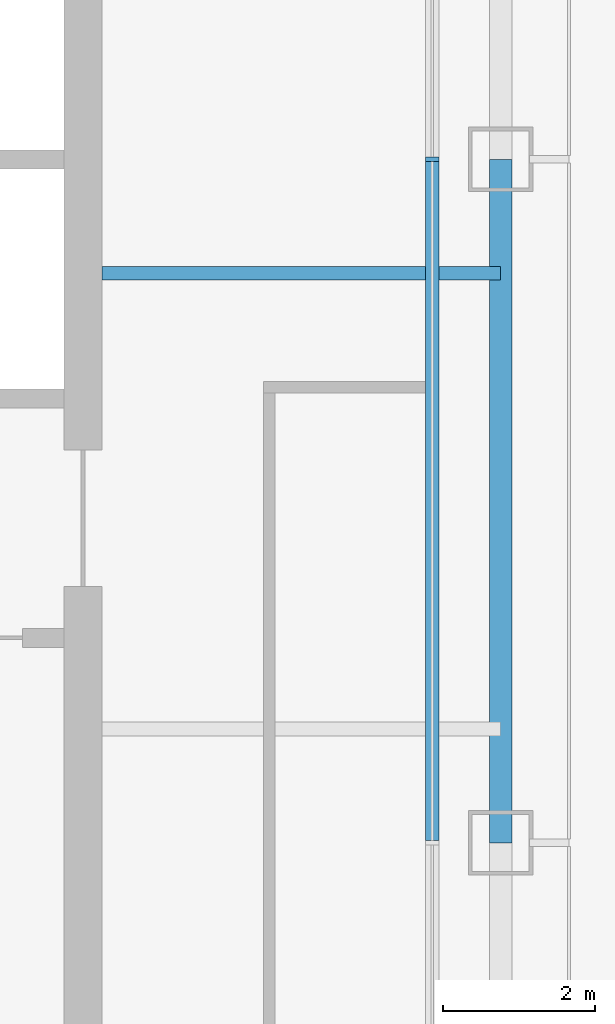
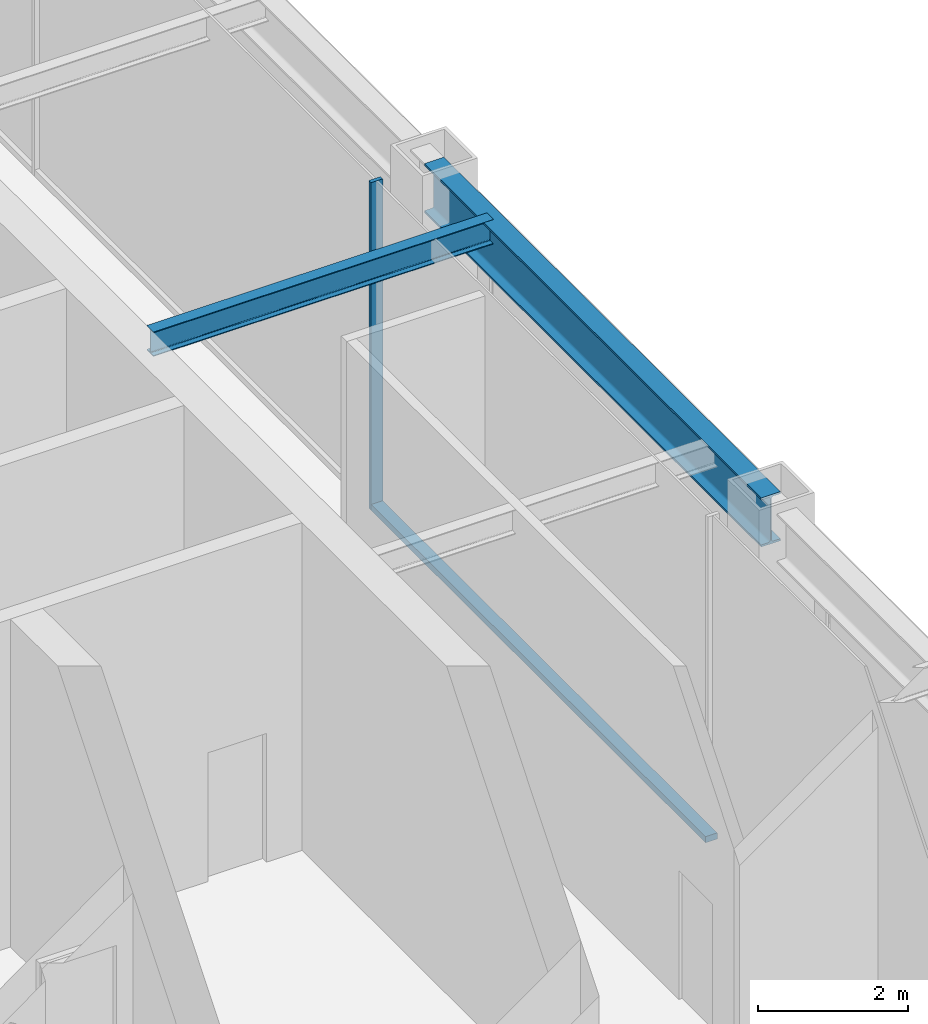
# One storey, part 5 of 19: 2 beams, 2 members, 1 element without a shape of its own.
"""IFC4 building model written with IfcOpenShell, lengths in metres."""

from ifc_helpers import new_model, si_unit, direction, frame, origin, origin_2d, place, context, subcontext, project, spatial, rectangle, i_section, extrude, material, layer, layer_set, material_profile, profile_set, type_object, element, aggregate, save


model = new_model("IFC4")

# Units and contexts
model_context = context("Model", 3, precision=1e-05, world=origin(), true_north=direction((0.0, 1.0)))
body_context = subcontext(model_context, "Body", "Model", "MODEL_VIEW")
ifc_project = project(units=[si_unit("LENGTHUNIT", "METRE"), si_unit("AREAUNIT", "SQUARE_METRE"), si_unit("VOLUMEUNIT", "CUBIC_METRE"), si_unit("PLANEANGLEUNIT", "RADIAN"), si_unit("MASSUNIT", "GRAM", prefix="KILO")], contexts=[model_context])

# Site, building, storey
site_placement = place(None, origin())
site = spatial("IfcSite", under=ifc_project, at=site_placement, CompositionType="ELEMENT")
building_placement = place(site_placement, origin())
building = spatial("IfcBuilding", under=site, at=building_placement, Name="Siwar Civic Tower", CompositionType="ELEMENT")
storey_placement = place(building_placement, frame((0.0, 0.0, 187.199951171875)))
storey = spatial("IfcBuildingStorey", under=building, at=storey_placement, Name="L40", CompositionType="ELEMENT", Elevation=187.199951171875)

# Curtain wall, members
ifc_material_1 = material(Name="Aluminium and glass", Category="aluminium")
ifc_layer = layer(ifc_material_1, 0.179931640625)
ifc_layer_set = layer_set([ifc_layer], Name="Aluminium and glass")
curtain_wall_type = type_object("IfcCurtainWallType", Name="ENV-CW-C", PredefinedType="NOTDEFINED", material=ifc_layer_set)
curtain_wall_placement = place(storey_placement, origin())
curtain_wall = element("IfcCurtainWall", 1, at=curtain_wall_placement, inside=storey, type_object=curtain_wall_type, Name="Curtain wall C E", PredefinedType="NOTDEFINED")
ifc_material_2 = material(Name="Aluminium 6063-T6", Category="aluminium")
ifc_material_profile_1 = material_profile(ifc_material_2, rectangle(XDim=0.179931640625, YDim=0.06005859375, at=origin_2d()), Name="AL 180x60")
ifc_profile_set_1 = profile_set([ifc_material_profile_1], Name="Aluminium 6063-T6")
member_type_1 = type_object("IfcMemberType", Name="ENV-MULLION-C", PredefinedType="MULLION", material=ifc_profile_set_1)
member_1_placement = place(storey_placement, frame((26.10009765625, 0.0, 0.0), z_axis=(0.0, 0.0, 1.0), x_axis=(-1.0, 0.0, 0.0)))
member_1 = element("IfcMember", 2, at=member_1_placement, type_object=member_type_1, Name="Mullion C E 3", PredefinedType="MULLION", context=body_context, shape_type="SweptSolid", body=[
    extrude(rectangle(XDim=0.179931640625, YDim=0.06005859375, at=origin_2d()), origin(), (0.0, 0.0, 1.0), 5.35009765625),
])
ifc_material_3 = material(Name="Aluminium 6063-T6", Category="aluminium")
ifc_material_profile_2 = material_profile(ifc_material_3, rectangle(XDim=0.179931640625, YDim=0.10009765625, at=origin_2d()), Name="AL 180x100")
ifc_profile_set_2 = profile_set([ifc_material_profile_2], Name="Aluminium 6063-T6")
member_type_2 = type_object("IfcMemberType", Name="ENV-TRANSOM-C", PredefinedType="USERDEFINED", material=ifc_profile_set_2)
member_2_placement = place(storey_placement, frame((26.10009765625, -8.969970703125, 0.050048828125), z_axis=(0.0, 1.0, 0.0), x_axis=(-1.0, 0.0, 0.0)))
member_2 = element("IfcMember", 3, at=member_2_placement, type_object=member_type_2, Name="Transom C E 2", ObjectType="TRANSOM", PredefinedType="USERDEFINED", context=body_context, shape_type="SweptSolid", body=[
    extrude(rectangle(XDim=0.179931640625, YDim=0.10009765625, at=origin_2d()), origin(), (0.0, 0.0, 1.0), 8.93994140625),
])
aggregate(curtain_wall, [member_1, member_2])

# Beams
ifc_material_4 = material(Name="Steel S355", Category="steel")
ifc_material_profile_3 = material_profile(ifc_material_4, i_section(OverallWidth=0.179931640625, OverallDepth=0.39990234375, WebThickness=0.008544921875, FlangeThickness=0.013427734375, FilletRadius=0.02099609375, at=origin_2d()), Name="IPE400")
ifc_profile_set_3 = profile_set([ifc_material_profile_3], Name="Steel S355")
beam_type_1 = type_object("IfcBeamType", Name="STR-FB-IPE400", PredefinedType="JOIST", material=ifc_profile_set_3)
beam_1_placement = place(storey_placement, frame((21.75, -1.5, 5.150146484375), z_axis=(1.0, 0.0, 0.0), x_axis=(0.0, 1.0, 0.0)))
element("IfcBeam", 4, at=beam_1_placement, inside=storey, type_object=beam_type_1, Name="L40/bm/F024", PredefinedType="JOIST", context=body_context, shape_type="SweptSolid", body=[
    extrude(i_section(OverallWidth=0.179931640625, OverallDepth=0.39990234375, WebThickness=0.008544921875, FlangeThickness=0.013427734375, FilletRadius=0.02099609375, at=origin_2d()), origin(), (0.0, 0.0, 1.0), 5.25),
])
ifc_material_5 = material(Name="Steel S355", Category="steel")
ifc_material_profile_4 = material_profile(ifc_material_5, i_section(OverallWidth=0.300048828125, OverallDepth=0.800048828125, WebThickness=0.017578125, FlangeThickness=0.032958984375, FilletRadius=0.030029296875, at=origin_2d()), Name="HEB800")
ifc_profile_set_4 = profile_set([ifc_material_profile_4], Name="Steel S355")
beam_type_2 = type_object("IfcBeamType", Name="STR-SB-HEB800", PredefinedType="BEAM", material=ifc_profile_set_4)
beam_2_placement = place(storey_placement, frame((27.0, -9.0, 4.949951171875), z_axis=(0.0, 1.0, 0.0), x_axis=(-1.0, 0.0, 0.0)))
element("IfcBeam", 5, at=beam_2_placement, inside=storey, type_object=beam_type_2, Name="L40/bm/SE-1", PredefinedType="BEAM", context=body_context, shape_type="SweptSolid", body=[
    extrude(i_section(OverallWidth=0.300048828125, OverallDepth=0.800048828125, WebThickness=0.017578125, FlangeThickness=0.032958984375, FilletRadius=0.030029296875, at=origin_2d()), origin(), (0.0, 0.0, 1.0), 9.0),
])

save(model, "model.ifc")
